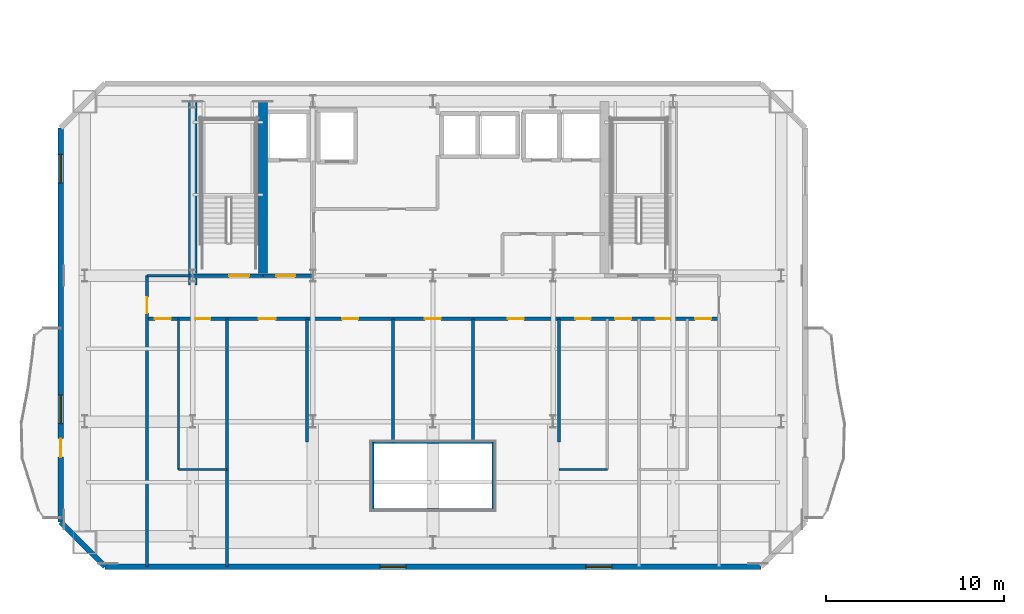
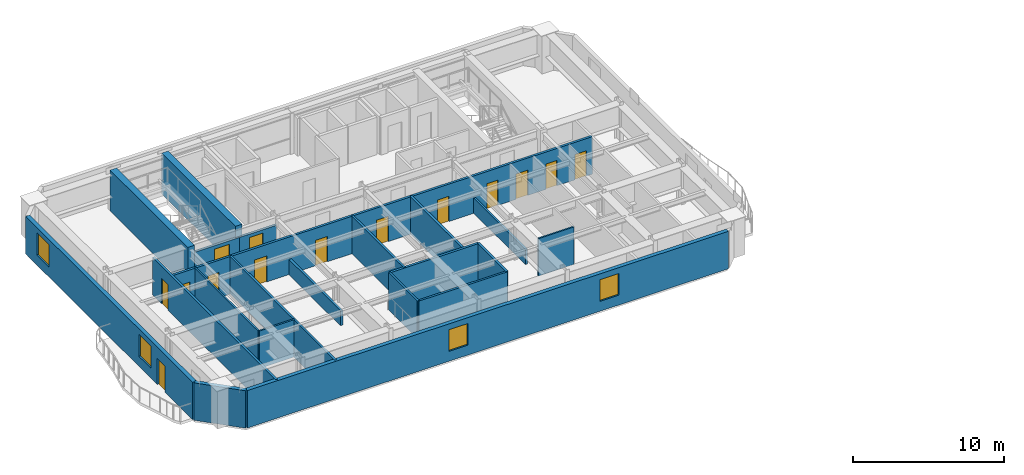
# One storey, part 7 of 16: 22 walls, 14 doors, 4 windows, 18 openings.
"""IFC4 building model written with IfcOpenShell, lengths in metres."""

from ifc_helpers import new_model, si_unit, direction, frame, frame_2d, origin, place, context, subcontext, project, spatial, rectangle, extrude, material, layer, layer_set, type_object, element, fill, save


model = new_model("IFC4")

# Units and contexts
model_context = context("Model", 3, precision=1e-05, world=origin(), true_north=direction((0.0, 1.0)))
body_context = subcontext(model_context, "Body", "Model", "MODEL_VIEW")
ifc_project = project(units=[si_unit("LENGTHUNIT", "METRE"), si_unit("AREAUNIT", "SQUARE_METRE"), si_unit("VOLUMEUNIT", "CUBIC_METRE"), si_unit("PLANEANGLEUNIT", "RADIAN"), si_unit("MASSUNIT", "GRAM", prefix="KILO")], contexts=[model_context])

# Site, building, storey
site_placement = place(None, origin())
site = spatial("IfcSite", under=ifc_project, at=site_placement, CompositionType="ELEMENT")
building_placement = place(site_placement, origin())
building = spatial("IfcBuilding", under=site, at=building_placement, Name="Haevon Station Towers", CompositionType="ELEMENT")
storey_placement = place(building_placement, frame((0.0, 0.0, 172.5)))
storey = spatial("IfcBuildingStorey", under=building, at=storey_placement, Name="L47", CompositionType="ELEMENT", Elevation=172.5)

# Wall, opening, door
ifc_material_1 = material(Name="Gypsum board on steel stud", Category="steel")
ifc_layer_1 = layer(ifc_material_1, 0.179931640625)
ifc_layer_set_1 = layer_set([ifc_layer_1], Name="Gypsum board on steel stud")
wall_type_1 = type_object("IfcWallType", Name="WL-ACU180", PredefinedType="PARTITIONING", material=ifc_layer_set_1)
wall_1_placement = place(storey_placement, frame((21.425048828125, 21.85009765625, 0.0), z_axis=(0.0, 0.0, 1.0), x_axis=(0.0, 1.0, 0.0)))
wall_1 = element("IfcWall", 1, at=wall_1_placement, inside=storey, type_object=wall_type_1, Name="WL-T1PT-L47-03", PredefinedType="PARTITIONING", context=body_context, shape_type="SweptSolid", body=[
    extrude(rectangle(XDim=16.349853515625, YDim=0.179931640625, at=frame_2d((8.1748046875, 0.0))), origin(), (0.0, 0.0, 1.0), 3.030029296875),
])
opening_1_placement = place(wall_1_placement, frame((14.25, 0.0, 0.0)))
opening_1 = element("IfcOpeningElement", 2, at=opening_1_placement, cuts=wall_1, Name="Opening DR-WL-T1PT-L47-03-01", PredefinedType="OPENING", context=body_context, shape_type="SweptSolid", body=[
    extrude(rectangle(XDim=0.89990234375, YDim=2.050048828125, at=frame_2d((0.449951171875, 1.02490234375))), frame((0.0, 0.099853515625, 0.0), z_axis=(0.0, -1.0, 0.0), x_axis=(1.0, 0.0, 0.0)), (0.0, 0.0, 1.0), 0.199951171875),
])
ifc_material_2 = material(Name="Engineered oak timber", Category="wood")
door_type_1 = type_object("IfcDoorType", Name="DR-INT-900", OperationType="NOTDEFINED", PredefinedType="DOOR", material=ifc_material_2)
door_1_placement = place(opening_1_placement, origin())
door_1 = element("IfcDoor", 3, at=door_1_placement, inside=storey, type_object=door_type_1, Name="L47 Tower 1 Room Door 3-1", OperationType="SINGLE_SWING_LEFT", OverallHeight=2.050048828125, OverallWidth=0.89990234375, PredefinedType="DOOR", context=body_context, shape_type="SweptSolid", body=[
    extrude(rectangle(XDim=0.89990234375, YDim=2.050048828125, at=frame_2d((0.449951171875, 1.02490234375))), frame((0.0, 0.02490234375, 0.0), z_axis=(0.0, -1.0, 0.0), x_axis=(1.0, 0.0, 0.0)), (0.0, 0.0, 1.0), 0.050048828125),
])
fill(opening_1, door_1)

# Walls
wall_2_placement = place(storey_placement, frame((34.10009765625, 28.85009765625, 0.0), z_axis=(0.0, 0.0, 1.0), x_axis=(1.0, 0.0, 0.0)))
element("IfcWall", 4, at=wall_2_placement, inside=storey, type_object=wall_type_1, Name="WL-T1PT-L47-06", PredefinedType="PARTITIONING", context=body_context, shape_type="SweptSolid", body=[
    extrude(rectangle(XDim=6.7998046875, YDim=0.179931640625, at=frame_2d((3.39990234375, 0.0))), origin(), (0.0, 0.0, 1.0), 3.030029296875),
])
wall_3_placement = place(storey_placement, frame((30.427001953125, 28.85009765625, 0.0), z_axis=(0.0, 0.0, 1.0), x_axis=(0.0, 1.0, 0.0)))
element("IfcWall", 5, at=wall_3_placement, inside=storey, type_object=wall_type_1, Name="WL-T1PT-L47-12", PredefinedType="PARTITIONING", context=body_context, shape_type="SweptSolid", body=[
    extrude(rectangle(XDim=6.929931640625, YDim=0.179931640625, at=frame_2d((3.46484375, 0.0))), origin(), (0.0, 0.0, 1.0), 1.22998046875),
])
wall_4_placement = place(storey_placement, frame((39.75048828125, 28.85009765625, 0.0), z_axis=(0.0, 0.0, 1.0), x_axis=(0.0, 1.0, 0.0)))
element("IfcWall", 6, at=wall_4_placement, inside=storey, type_object=wall_type_1, Name="WL-T1PT-L47-15", PredefinedType="PARTITIONING", context=body_context, shape_type="SweptSolid", body=[
    extrude(rectangle(XDim=6.929931640625, YDim=0.179931640625, at=frame_2d((3.46484375, 0.0))), origin(), (0.0, 0.0, 1.0), 3.030029296875),
])

# Wall, openings, doors
wall_5_placement = place(storey_placement, frame((21.425048828125, 35.780029296875, 0.0), z_axis=(0.0, 0.0, 1.0), x_axis=(1.0, 0.0, 0.0)))
wall_5 = element("IfcWall", 7, at=wall_5_placement, inside=storey, type_object=wall_type_1, Name="WL-T1PT-L47-24", PredefinedType="PARTITIONING", context=body_context, shape_type="SweptSolid", body=[
    extrude(rectangle(XDim=32.14990234375, YDim=0.179931640625, at=frame_2d((16.074951171875, 0.0))), origin(), (0.0, 0.0, 1.0), 3.030029296875),
])
opening_2_placement = place(wall_5_placement, frame((2.715087890625, 0.0, 0.0)))
opening_2 = element("IfcOpeningElement", 8, at=opening_2_placement, cuts=wall_5, Name="Opening DR-WL-T1PT-L47-24-01", PredefinedType="OPENING", context=body_context, shape_type="SweptSolid", body=[
    extrude(rectangle(XDim=0.85009765625, YDim=2.050048828125, at=frame_2d((0.425048828125, 1.02490234375))), frame((0.0, 0.099853515625, 0.0), z_axis=(0.0, -1.0, 0.0), x_axis=(1.0, 0.0, 0.0)), (0.0, 0.0, 1.0), 0.199951171875),
])
opening_3_placement = place(wall_5_placement, frame((0.43994140625, 0.0, 0.0)))
opening_3 = element("IfcOpeningElement", 9, at=opening_3_placement, cuts=wall_5, Name="Opening DR-WL-T1PT-L47-24-02", PredefinedType="OPENING", context=body_context, shape_type="SweptSolid", body=[
    extrude(rectangle(XDim=0.89990234375, YDim=2.050048828125, at=frame_2d((0.449951171875, 1.02490234375))), frame((0.0, 0.099853515625, 0.0), z_axis=(0.0, -1.0, 0.0), x_axis=(1.0, 0.0, 0.0)), (0.0, 0.0, 1.0), 0.199951171875),
])
opening_4_placement = place(wall_5_placement, frame((6.27587890625, 0.0, 0.0)))
opening_4 = element("IfcOpeningElement", 10, at=opening_4_placement, cuts=wall_5, Name="Opening DR-WL-T1PT-L47-24-03", PredefinedType="OPENING", context=body_context, shape_type="SweptSolid", body=[
    extrude(rectangle(XDim=0.949951171875, YDim=2.10009765625, at=frame_2d((0.47509765625, 1.050048828125))), frame((0.0, 0.099853515625, 0.0), z_axis=(0.0, -1.0, 0.0), x_axis=(1.0, 0.0, 0.0)), (0.0, 0.0, 1.0), 0.199951171875),
])
opening_5_placement = place(wall_5_placement, frame((10.962890625, 0.0, 0.0)))
opening_5 = element("IfcOpeningElement", 11, at=opening_5_placement, cuts=wall_5, Name="Opening DR-WL-T1PT-L47-24-04", PredefinedType="OPENING", context=body_context, shape_type="SweptSolid", body=[
    extrude(rectangle(XDim=0.89990234375, YDim=2.050048828125, at=frame_2d((0.449951171875, 1.02490234375))), frame((0.0, 0.099853515625, 0.0), z_axis=(0.0, -1.0, 0.0), x_axis=(1.0, 0.0, 0.0)), (0.0, 0.0, 1.0), 0.199951171875),
])
opening_6_placement = place(wall_5_placement, frame((15.625, 0.0, 0.0)))
opening_6 = element("IfcOpeningElement", 12, at=opening_6_placement, cuts=wall_5, Name="Opening DR-WL-T1PT-L47-24-05", PredefinedType="OPENING", context=body_context, shape_type="SweptSolid", body=[
    extrude(rectangle(XDim=0.89990234375, YDim=2.050048828125, at=frame_2d((0.449951171875, 1.02490234375))), frame((0.0, 0.099853515625, 0.0), z_axis=(0.0, -1.0, 0.0), x_axis=(1.0, 0.0, 0.0)), (0.0, 0.0, 1.0), 0.199951171875),
])
opening_7_placement = place(wall_5_placement, frame((20.287109375, 0.0, 0.0)))
opening_7 = element("IfcOpeningElement", 13, at=opening_7_placement, cuts=wall_5, Name="Opening DR-WL-T1PT-L47-24-06", PredefinedType="OPENING", context=body_context, shape_type="SweptSolid", body=[
    extrude(rectangle(XDim=0.89990234375, YDim=2.050048828125, at=frame_2d((0.449951171875, 1.02490234375))), frame((0.0, 0.099853515625, 0.0), z_axis=(0.0, -1.0, 0.0), x_axis=(1.0, 0.0, 0.0)), (0.0, 0.0, 1.0), 0.199951171875),
])
opening_8_placement = place(wall_5_placement, frame((24.0830078125, 0.0, 0.0)))
opening_8 = element("IfcOpeningElement", 14, at=opening_8_placement, cuts=wall_5, Name="Opening DR-WL-T1PT-L47-24-07", PredefinedType="OPENING", context=body_context, shape_type="SweptSolid", body=[
    extrude(rectangle(XDim=0.85009765625, YDim=2.050048828125, at=frame_2d((0.425048828125, 1.02490234375))), frame((0.0, 0.099853515625, 0.0), z_axis=(0.0, -1.0, 0.0), x_axis=(1.0, 0.0, 0.0)), (0.0, 0.0, 1.0), 0.199951171875),
])
opening_9_placement = place(wall_5_placement, frame((26.30908203125, 0.0, 0.0)))
opening_9 = element("IfcOpeningElement", 15, at=opening_9_placement, cuts=wall_5, Name="Opening DR-WL-T1PT-L47-24-08", PredefinedType="OPENING", context=body_context, shape_type="SweptSolid", body=[
    extrude(rectangle(XDim=0.89990234375, YDim=2.050048828125, at=frame_2d((0.449951171875, 1.02490234375))), frame((0.0, 0.099853515625, 0.0), z_axis=(0.0, -1.0, 0.0), x_axis=(1.0, 0.0, 0.0)), (0.0, 0.0, 1.0), 0.199951171875),
])
opening_10_placement = place(wall_5_placement, frame((28.583984375, 0.0, 0.0)))
opening_10 = element("IfcOpeningElement", 16, at=opening_10_placement, cuts=wall_5, Name="Opening DR-WL-T1PT-L47-24-09", PredefinedType="OPENING", context=body_context, shape_type="SweptSolid", body=[
    extrude(rectangle(XDim=0.85009765625, YDim=2.050048828125, at=frame_2d((0.425048828125, 1.02490234375))), frame((0.0, 0.099853515625, 0.0), z_axis=(0.0, -1.0, 0.0), x_axis=(1.0, 0.0, 0.0)), (0.0, 0.0, 1.0), 0.199951171875),
])
opening_11_placement = place(wall_5_placement, frame((30.81005859375, 0.0, 0.0)))
opening_11 = element("IfcOpeningElement", 17, at=opening_11_placement, cuts=wall_5, Name="Opening DR-WL-T1PT-L47-24-10", PredefinedType="OPENING", context=body_context, shape_type="SweptSolid", body=[
    extrude(rectangle(XDim=0.89990234375, YDim=2.050048828125, at=frame_2d((0.449951171875, 1.02490234375))), frame((0.0, 0.099853515625, 0.0), z_axis=(0.0, -1.0, 0.0), x_axis=(1.0, 0.0, 0.0)), (0.0, 0.0, 1.0), 0.199951171875),
])
door_type_2 = type_object("IfcDoorType", Name="DR-FD30-850", OperationType="NOTDEFINED", PredefinedType="DOOR", material=ifc_material_2)
door_2_placement = place(opening_2_placement, origin())
door_2 = element("IfcDoor", 18, at=door_2_placement, inside=storey, type_object=door_type_2, Name="L47 Tower 1 Room Door 24-1", OperationType="SINGLE_SWING_LEFT", OverallHeight=2.050048828125, OverallWidth=0.85009765625, PredefinedType="DOOR", context=body_context, shape_type="SweptSolid", body=[
    extrude(rectangle(XDim=0.85009765625, YDim=2.050048828125, at=frame_2d((0.425048828125, 1.02490234375))), frame((0.0, 0.02490234375, 0.0), z_axis=(0.0, -1.0, 0.0), x_axis=(1.0, 0.0, 0.0)), (0.0, 0.0, 1.0), 0.050048828125),
])
fill(opening_2, door_2)
door_3_placement = place(opening_8_placement, origin())
door_3 = element("IfcDoor", 19, at=door_3_placement, inside=storey, type_object=door_type_2, Name="L47 Tower 1 Room Door 24-7", OperationType="SINGLE_SWING_LEFT", OverallHeight=2.050048828125, OverallWidth=0.85009765625, PredefinedType="DOOR", context=body_context, shape_type="SweptSolid", body=[
    extrude(rectangle(XDim=0.85009765625, YDim=2.050048828125, at=frame_2d((0.425048828125, 1.02490234375))), frame((0.0, 0.02490234375, 0.0), z_axis=(0.0, -1.0, 0.0), x_axis=(1.0, 0.0, 0.0)), (0.0, 0.0, 1.0), 0.050048828125),
])
fill(opening_8, door_3)
door_4_placement = place(opening_10_placement, origin())
door_4 = element("IfcDoor", 20, at=door_4_placement, inside=storey, type_object=door_type_2, Name="L47 Tower 1 Room Door 24-9", OperationType="SINGLE_SWING_LEFT", OverallHeight=2.050048828125, OverallWidth=0.85009765625, PredefinedType="DOOR", context=body_context, shape_type="SweptSolid", body=[
    extrude(rectangle(XDim=0.85009765625, YDim=2.050048828125, at=frame_2d((0.425048828125, 1.02490234375))), frame((0.0, 0.02490234375, 0.0), z_axis=(0.0, -1.0, 0.0), x_axis=(1.0, 0.0, 0.0)), (0.0, 0.0, 1.0), 0.050048828125),
])
fill(opening_10, door_4)
door_type_3 = type_object("IfcDoorType", Name="DR-FD30-950", OperationType="NOTDEFINED", PredefinedType="DOOR", material=ifc_material_2)
door_5_placement = place(opening_4_placement, origin())
door_5 = element("IfcDoor", 21, at=door_5_placement, inside=storey, type_object=door_type_3, Name="L47 Tower 1 Room Door 24-3", OperationType="SINGLE_SWING_LEFT", OverallHeight=2.10009765625, OverallWidth=0.949951171875, PredefinedType="DOOR", context=body_context, shape_type="SweptSolid", body=[
    extrude(rectangle(XDim=0.949951171875, YDim=2.10009765625, at=frame_2d((0.47509765625, 1.050048828125))), frame((0.0, 0.02490234375, 0.0), z_axis=(0.0, -1.0, 0.0), x_axis=(1.0, 0.0, 0.0)), (0.0, 0.0, 1.0), 0.050048828125),
])
fill(opening_4, door_5)
door_6_placement = place(opening_3_placement, origin())
door_6 = element("IfcDoor", 22, at=door_6_placement, inside=storey, type_object=door_type_1, Name="L47 Tower 1 Room Door 24-2", OperationType="SINGLE_SWING_RIGHT", OverallHeight=2.050048828125, OverallWidth=0.89990234375, PredefinedType="DOOR", context=body_context, shape_type="SweptSolid", body=[
    extrude(rectangle(XDim=0.89990234375, YDim=2.050048828125, at=frame_2d((0.449951171875, 1.02490234375))), frame((0.0, 0.02490234375, 0.0), z_axis=(0.0, -1.0, 0.0), x_axis=(1.0, 0.0, 0.0)), (0.0, 0.0, 1.0), 0.050048828125),
])
fill(opening_3, door_6)
door_7_placement = place(opening_5_placement, origin())
door_7 = element("IfcDoor", 23, at=door_7_placement, inside=storey, type_object=door_type_1, Name="L47 Tower 1 Room Door 24-4", OperationType="SINGLE_SWING_RIGHT", OverallHeight=2.050048828125, OverallWidth=0.89990234375, PredefinedType="DOOR", context=body_context, shape_type="SweptSolid", body=[
    extrude(rectangle(XDim=0.89990234375, YDim=2.050048828125, at=frame_2d((0.449951171875, 1.02490234375))), frame((0.0, 0.02490234375, 0.0), z_axis=(0.0, -1.0, 0.0), x_axis=(1.0, 0.0, 0.0)), (0.0, 0.0, 1.0), 0.050048828125),
])
fill(opening_5, door_7)
door_8_placement = place(opening_6_placement, origin())
door_8 = element("IfcDoor", 24, at=door_8_placement, inside=storey, type_object=door_type_1, Name="L47 Tower 1 Room Door 24-5", OperationType="SINGLE_SWING_LEFT", OverallHeight=2.050048828125, OverallWidth=0.89990234375, PredefinedType="DOOR", context=body_context, shape_type="SweptSolid", body=[
    extrude(rectangle(XDim=0.89990234375, YDim=2.050048828125, at=frame_2d((0.449951171875, 1.02490234375))), frame((0.0, 0.02490234375, 0.0), z_axis=(0.0, -1.0, 0.0), x_axis=(1.0, 0.0, 0.0)), (0.0, 0.0, 1.0), 0.050048828125),
])
fill(opening_6, door_8)
door_9_placement = place(opening_7_placement, origin())
door_9 = element("IfcDoor", 25, at=door_9_placement, inside=storey, type_object=door_type_1, Name="L47 Tower 1 Room Door 24-6", OperationType="SINGLE_SWING_RIGHT", OverallHeight=2.050048828125, OverallWidth=0.89990234375, PredefinedType="DOOR", context=body_context, shape_type="SweptSolid", body=[
    extrude(rectangle(XDim=0.89990234375, YDim=2.050048828125, at=frame_2d((0.449951171875, 1.02490234375))), frame((0.0, 0.02490234375, 0.0), z_axis=(0.0, -1.0, 0.0), x_axis=(1.0, 0.0, 0.0)), (0.0, 0.0, 1.0), 0.050048828125),
])
fill(opening_7, door_9)
door_10_placement = place(opening_9_placement, origin())
door_10 = element("IfcDoor", 26, at=door_10_placement, inside=storey, type_object=door_type_1, Name="L47 Tower 1 Room Door 24-8", OperationType="SINGLE_SWING_RIGHT", OverallHeight=2.050048828125, OverallWidth=0.89990234375, PredefinedType="DOOR", context=body_context, shape_type="SweptSolid", body=[
    extrude(rectangle(XDim=0.89990234375, YDim=2.050048828125, at=frame_2d((0.449951171875, 1.02490234375))), frame((0.0, 0.02490234375, 0.0), z_axis=(0.0, -1.0, 0.0), x_axis=(1.0, 0.0, 0.0)), (0.0, 0.0, 1.0), 0.050048828125),
])
fill(opening_9, door_10)
door_11_placement = place(opening_11_placement, origin())
door_11 = element("IfcDoor", 27, at=door_11_placement, inside=storey, type_object=door_type_1, Name="L47 Tower 1 Room Door 24-10", OperationType="SINGLE_SWING_RIGHT", OverallHeight=2.050048828125, OverallWidth=0.89990234375, PredefinedType="DOOR", context=body_context, shape_type="SweptSolid", body=[
    extrude(rectangle(XDim=0.89990234375, YDim=2.050048828125, at=frame_2d((0.449951171875, 1.02490234375))), frame((0.0, 0.02490234375, 0.0), z_axis=(0.0, -1.0, 0.0), x_axis=(1.0, 0.0, 0.0)), (0.0, 0.0, 1.0), 0.050048828125),
])
fill(opening_11, door_11)

# Wall, opening, door
ifc_layer_2 = layer(ifc_material_1, 0.199951171875)
ifc_layer_set_2 = layer_set([ifc_layer_2], Name="Gypsum board on steel stud")
wall_type_2 = type_object("IfcWallType", Name="WL-COR200", PredefinedType="PARTITIONING", material=ifc_layer_set_2)
wall_6_placement = place(storey_placement, frame((24.0, 38.199951171875, 0.0), z_axis=(0.0, 0.0, 1.0), x_axis=(1.0, 0.0, 0.0)))
wall_6 = element("IfcWall", 28, at=wall_6_placement, inside=storey, type_object=wall_type_2, Name="WL-ST-ST1-L47", PredefinedType="PARTITIONING", context=body_context, shape_type="SweptSolid", body=[
    extrude(rectangle(XDim=3.949951171875, YDim=0.199951171875, at=frame_2d((1.97509765625, 0.0))), origin(), (0.0, 0.0, 1.0), 2.3798828125),
])
opening_12_placement = place(wall_6_placement, frame((2.050048828125, 0.0, 0.0)))
opening_12 = element("IfcOpeningElement", 29, at=opening_12_placement, cuts=wall_6, Name="Opening DR-ST-ST1-L47", PredefinedType="OPENING", context=body_context, shape_type="SweptSolid", body=[
    extrude(rectangle(XDim=1.1201171875, YDim=2.10009765625, at=frame_2d((0.56005859375, 1.050048828125))), frame((0.0, 0.10986328125, 0.0), z_axis=(0.0, -1.0, 0.0), x_axis=(1.0, 0.0, 0.0)), (0.0, 0.0, 1.0), 0.219970703125),
])
door_type_4 = type_object("IfcDoorType", Name="DR-ST-1120", OperationType="NOTDEFINED", PredefinedType="DOOR", material=ifc_material_2)
door_12_placement = place(opening_12_placement, origin())
door_12 = element("IfcDoor", 30, at=door_12_placement, inside=storey, type_object=door_type_4, Name="L47 Escape Stair ST1 Fire Door", OperationType="SINGLE_SWING_RIGHT", OverallHeight=2.10009765625, OverallWidth=1.1201171875, PredefinedType="DOOR", context=body_context, shape_type="SweptSolid", body=[
    extrude(rectangle(XDim=1.1201171875, YDim=2.10009765625, at=frame_2d((0.56005859375, 1.050048828125))), frame((0.0, 0.02490234375, 0.0), z_axis=(0.0, -1.0, 0.0), x_axis=(1.0, 0.0, 0.0)), (0.0, 0.0, 1.0), 0.050048828125),
])
fill(opening_12, door_12)

wall_7_placement = place(storey_placement, frame((27.949951171875, 38.199951171875, 0.0), z_axis=(0.0, 0.0, 1.0), x_axis=(1.0, 0.0, 0.0)))
wall_7 = element("IfcWall", 31, at=wall_7_placement, inside=storey, type_object=wall_type_2, Name="WL-T1FFL-L47-S", PredefinedType="PARTITIONING", context=body_context, shape_type="SweptSolid", body=[
    extrude(rectangle(XDim=2.85009765625, YDim=0.199951171875, at=frame_2d((1.425048828125, 0.0))), origin(), (0.0, 0.0, 1.0), 2.3798828125),
])
opening_13_placement = place(wall_7_placement, frame((0.75, 0.0, 0.0)))
opening_13 = element("IfcOpeningElement", 32, at=opening_13_placement, cuts=wall_7, Name="Opening DR-T1FFL-L47-S", PredefinedType="OPENING", context=body_context, shape_type="SweptSolid", body=[
    extrude(rectangle(XDim=1.050048828125, YDim=2.10009765625, at=frame_2d((0.52490234375, 1.050048828125))), frame((0.0, 0.10986328125, 0.0), z_axis=(0.0, -1.0, 0.0), x_axis=(1.0, 0.0, 0.0)), (0.0, 0.0, 1.0), 0.219970703125),
])
door_type_5 = type_object("IfcDoorType", Name="DR-FD60-1050", OperationType="NOTDEFINED", PredefinedType="DOOR", material=ifc_material_2)
door_13_placement = place(opening_13_placement, origin())
door_13 = element("IfcDoor", 33, at=door_13_placement, inside=storey, type_object=door_type_5, Name="L47 Tower 1 Firefighting Lift Lobby Door S", OperationType="SINGLE_SWING_LEFT", OverallHeight=2.10009765625, OverallWidth=1.050048828125, PredefinedType="DOOR", context=body_context, shape_type="SweptSolid", body=[
    extrude(rectangle(XDim=1.050048828125, YDim=2.10009765625, at=frame_2d((0.52490234375, 1.050048828125))), frame((0.0, 0.02490234375, 0.0), z_axis=(0.0, -1.0, 0.0), x_axis=(1.0, 0.0, 0.0)), (0.0, 0.0, 1.0), 0.050048828125),
])
fill(opening_13, door_13)

# Walls
ifc_material_3 = material(Name="Concrete C60/75", Category="concrete")
ifc_layer_3 = layer(ifc_material_3, 0.5)
ifc_layer_set_3 = layer_set([ifc_layer_3], Name="Concrete C60/75")
wall_type_3 = type_object("IfcWallType", Name="WL-CR500", PredefinedType="SHEAR", material=ifc_layer_set_3)
wall_8_placement = place(storey_placement, frame((24.0, 37.679931640625, 0.0), z_axis=(0.0, 0.0, 1.0), x_axis=(0.0, 1.0, 0.0)))
element("IfcWall", 34, at=wall_8_placement, inside=storey, type_object=wall_type_3, Name="WL-T1CR-L47-W", PredefinedType="SHEAR", context=body_context, shape_type="SweptSolid", body=[
    extrude(rectangle(XDim=10.320068359375, YDim=0.5, at=frame_2d((5.16015625, 0.0))), origin(), (0.0, 0.0, 1.0), 3.300048828125),
])
wall_9_placement = place(storey_placement, frame((27.949951171875, 38.199951171875, 0.0), z_axis=(0.0, 0.0, 1.0), x_axis=(0.0, 1.0, 0.0)))
element("IfcWall", 35, at=wall_9_placement, inside=storey, type_object=wall_type_3, Name="WL-T1CR-L47-M1", PredefinedType="SHEAR", context=body_context, shape_type="SweptSolid", body=[
    extrude(rectangle(XDim=9.800048828125, YDim=0.5, at=frame_2d((4.89990234375, 0.0))), origin(), (0.0, 0.0, 1.0), 3.300048828125),
])

# Wall, openings, windows
ifc_material_4 = material(Name="Precast concrete C45/55", Category="concrete")
ifc_layer_4 = layer(ifc_material_4, 0.300048828125)
ifc_layer_set_4 = layer_set([ifc_layer_4], Name="Precast concrete C45/55")
wall_type_4 = type_object("IfcWallType", Name="WL-EXT-PIER300", PredefinedType="SOLIDWALL", material=ifc_layer_set_4)
wall_10_placement = place(storey_placement, frame((55.925048828125, 21.85009765625, 0.0), z_axis=(0.0, 0.0, 1.0), x_axis=(-1.0, 0.0, 0.0)))
wall_10 = element("IfcWall", 36, at=wall_10_placement, inside=storey, type_object=wall_type_4, Name="WL-T1-L47-S", PredefinedType="SOLIDWALL", context=body_context, shape_type="SweptSolid", body=[
    extrude(rectangle(XDim=36.85009765625, YDim=0.300048828125, at=frame_2d((18.425048828125, 0.0))), origin(), (0.0, 0.0, 1.0), 3.030029296875),
])
opening_14_placement = place(wall_10_placement, frame((19.950439453125, 0.0, 0.800048828125)))
opening_14 = element("IfcOpeningElement", 37, at=opening_14_placement, cuts=wall_10, Name="Opening WN-P145", PredefinedType="OPENING", context=body_context, shape_type="SweptSolid", body=[
    extrude(rectangle(XDim=1.449951171875, YDim=1.75, at=frame_2d((0.72509765625, 0.875))), frame((0.0, 0.159912109375, 0.0), z_axis=(0.0, -1.0, 0.0), x_axis=(1.0, 0.0, 0.0)), (0.0, 0.0, 1.0), 0.320068359375),
])
opening_15_placement = place(wall_10_placement, frame((8.37646484375, 0.0, 0.800048828125)))
opening_15 = element("IfcOpeningElement", 38, at=opening_15_placement, cuts=wall_10, Name="Opening WN-P145", PredefinedType="OPENING", context=body_context, shape_type="SweptSolid", body=[
    extrude(rectangle(XDim=1.449951171875, YDim=1.75, at=frame_2d((0.72509765625, 0.875))), frame((0.0, 0.159912109375, 0.0), z_axis=(0.0, -1.0, 0.0), x_axis=(1.0, 0.0, 0.0)), (0.0, 0.0, 1.0), 0.320068359375),
])
ifc_material_5 = material(Name="Low-E triple glazing in thermally broken aluminium", Category="aluminium")
window_type_1 = type_object("IfcWindowType", Name="WN-P145", PartitioningType="SINGLE_PANEL", PredefinedType="WINDOW", material=ifc_material_5)
window_1_placement = place(opening_14_placement, origin())
window_1 = element("IfcWindow", 39, at=window_1_placement, inside=storey, type_object=window_type_1, Name="WN-T1-L47-S01", OverallHeight=1.75, OverallWidth=1.449951171875, PartitioningType="SINGLE_PANEL", PredefinedType="WINDOW", context=body_context, shape_type="SweptSolid", body=[
    extrude(rectangle(XDim=1.449951171875, YDim=1.75, at=frame_2d((0.72509765625, 0.875))), frame((0.0, 0.030029296875, 0.0), z_axis=(0.0, -1.0, 0.0), x_axis=(1.0, 0.0, 0.0)), (0.0, 0.0, 1.0), 0.06005859375),
])
fill(opening_14, window_1)
window_2_placement = place(opening_15_placement, origin())
window_2 = element("IfcWindow", 40, at=window_2_placement, inside=storey, type_object=window_type_1, Name="WN-T1-L47-S02", OverallHeight=1.75, OverallWidth=1.449951171875, PartitioningType="SINGLE_PANEL", PredefinedType="WINDOW", context=body_context, shape_type="SweptSolid", body=[
    extrude(rectangle(XDim=1.449951171875, YDim=1.75, at=frame_2d((0.72509765625, 0.875))), frame((0.0, 0.030029296875, 0.0), z_axis=(0.0, -1.0, 0.0), x_axis=(1.0, 0.0, 0.0)), (0.0, 0.0, 1.0), 0.06005859375),
])
fill(opening_15, window_2)

# Wall
wall_11_placement = place(storey_placement, frame((19.074951171875, 21.85009765625, 0.0), z_axis=(0.0, 0.0, 1.0), x_axis=(-0.707106781187, 0.707106781187, 0.0)))
element("IfcWall", 41, at=wall_11_placement, inside=storey, type_object=wall_type_4, Name="WL-T1-L47-SWC", PredefinedType="SOLIDWALL", context=body_context, shape_type="SweptSolid", body=[
    extrude(rectangle(XDim=3.53564453125, YDim=0.300048828125, at=frame_2d((1.767822265625, 0.0))), origin(), (0.0, 0.0, 1.0), 3.030029296875),
])

# Wall, openings, door, windows
wall_12_placement = place(storey_placement, frame((16.574951171875, 24.35009765625, 0.0), z_axis=(0.0, 0.0, 1.0), x_axis=(0.0, 1.0, 0.0)))
wall_12 = element("IfcWall", 42, at=wall_12_placement, inside=storey, type_object=wall_type_4, Name="WL-T1-L47-W", PredefinedType="SOLIDWALL", context=body_context, shape_type="SweptSolid", body=[
    extrude(rectangle(XDim=22.14990234375, YDim=0.300048828125, at=frame_2d((11.074951171875, 0.0))), origin(), (0.0, 0.0, 1.0), 3.030029296875),
])
opening_16_placement = place(wall_12_placement, frame((3.64990234375, 0.0, 0.0)))
opening_16 = element("IfcOpeningElement", 43, at=opening_16_placement, cuts=wall_12, Name="Opening DR-T1-SCAL-L47-W", PredefinedType="OPENING", context=body_context, shape_type="SweptSolid", body=[
    extrude(rectangle(XDim=1.050048828125, YDim=2.10009765625, at=frame_2d((0.52490234375, 1.050048828125))), frame((0.0, 0.159912109375, 0.0), z_axis=(0.0, -1.0, 0.0), x_axis=(1.0, 0.0, 0.0)), (0.0, 0.0, 1.0), 0.320068359375),
])
opening_17_placement = place(wall_12_placement, frame((5.53759765625, 0.0, 0.800048828125)))
opening_17 = element("IfcOpeningElement", 44, at=opening_17_placement, cuts=wall_12, Name="Opening WN-END160", PredefinedType="OPENING", context=body_context, shape_type="SweptSolid", body=[
    extrude(rectangle(XDim=1.60009765625, YDim=1.800048828125, at=frame_2d((0.800048828125, 0.89990234375))), frame((0.0, 0.159912109375, 0.0), z_axis=(0.0, -1.0, 0.0), x_axis=(1.0, 0.0, 0.0)), (0.0, 0.0, 1.0), 0.320068359375),
])
opening_18_placement = place(wall_12_placement, frame((19.0732421875, 0.0, 0.800048828125)))
opening_18 = element("IfcOpeningElement", 45, at=opening_18_placement, cuts=wall_12, Name="Opening WN-END160", PredefinedType="OPENING", context=body_context, shape_type="SweptSolid", body=[
    extrude(rectangle(XDim=1.60009765625, YDim=1.800048828125, at=frame_2d((0.800048828125, 0.89990234375))), frame((0.0, 0.159912109375, 0.0), z_axis=(0.0, -1.0, 0.0), x_axis=(1.0, 0.0, 0.0)), (0.0, 0.0, 1.0), 0.320068359375),
])
ifc_material_6 = material(Name="Thermally broken anodised aluminium and laminated safety glass", Category="aluminium")
door_type_6 = type_object("IfcDoorType", Name="DR-BALC-1050", OperationType="NOTDEFINED", PredefinedType="DOOR", material=ifc_material_6)
door_14_placement = place(opening_16_placement, origin())
door_14 = element("IfcDoor", 46, at=door_14_placement, inside=storey, type_object=door_type_6, Name="Tower 1 L47 West Scalloped Balcony Door", OperationType="SINGLE_SWING_RIGHT", OverallHeight=2.10009765625, OverallWidth=1.050048828125, PredefinedType="DOOR", context=body_context, shape_type="SweptSolid", body=[
    extrude(rectangle(XDim=1.050048828125, YDim=2.10009765625, at=frame_2d((0.52490234375, 1.050048828125))), frame((0.0, 0.02490234375, 0.0), z_axis=(0.0, -1.0, 0.0), x_axis=(1.0, 0.0, 0.0)), (0.0, 0.0, 1.0), 0.050048828125),
])
fill(opening_16, door_14)
window_type_2 = type_object("IfcWindowType", Name="WN-END160", PartitioningType="SINGLE_PANEL", PredefinedType="WINDOW", material=ifc_material_5)
window_3_placement = place(opening_17_placement, origin())
window_3 = element("IfcWindow", 47, at=window_3_placement, inside=storey, type_object=window_type_2, Name="WN-T1-L47-W01", OverallHeight=1.800048828125, OverallWidth=1.60009765625, PartitioningType="SINGLE_PANEL", PredefinedType="WINDOW", context=body_context, shape_type="SweptSolid", body=[
    extrude(rectangle(XDim=1.60009765625, YDim=1.800048828125, at=frame_2d((0.800048828125, 0.89990234375))), frame((0.0, 0.030029296875, 0.0), z_axis=(0.0, -1.0, 0.0), x_axis=(1.0, 0.0, 0.0)), (0.0, 0.0, 1.0), 0.06005859375),
])
fill(opening_17, window_3)
window_4_placement = place(opening_18_placement, origin())
window_4 = element("IfcWindow", 48, at=window_4_placement, inside=storey, type_object=window_type_2, Name="WN-T1-L47-W02", OverallHeight=1.800048828125, OverallWidth=1.60009765625, PartitioningType="SINGLE_PANEL", PredefinedType="WINDOW", context=body_context, shape_type="SweptSolid", body=[
    extrude(rectangle(XDim=1.60009765625, YDim=1.800048828125, at=frame_2d((0.800048828125, 0.89990234375))), frame((0.0, 0.030029296875, 0.0), z_axis=(0.0, -1.0, 0.0), x_axis=(1.0, 0.0, 0.0)), (0.0, 0.0, 1.0), 0.06005859375),
])
fill(opening_18, window_4)

# Walls
ifc_layer_5 = layer(ifc_material_1, 0.125)
ifc_layer_set_5 = layer_set([ifc_layer_5], Name="Gypsum board on steel stud")
wall_type_5 = type_object("IfcWallType", Name="WL-PRT125", PredefinedType="PARTITIONING", material=ifc_layer_set_5)
wall_13_placement = place(storey_placement, frame((23.205078125, 27.317138671875, 0.0), z_axis=(0.0, 0.0, 1.0), x_axis=(1.0, 0.0, 0.0)))
element("IfcWall", 49, at=wall_13_placement, inside=storey, type_object=wall_type_5, Name="WL-T1PT-L47-09", PredefinedType="PARTITIONING", context=body_context, shape_type="SweptSolid", body=[
    extrude(rectangle(XDim=2.720947265625, YDim=0.125, at=frame_2d((1.3603515625, 0.0))), origin(), (0.0, 0.0, 1.0), 3.030029296875),
])
wall_14_placement = place(storey_placement, frame((23.205078125, 27.317138671875, 0.0), z_axis=(0.0, 0.0, 1.0), x_axis=(0.0, 1.0, 0.0)))
element("IfcWall", 50, at=wall_14_placement, inside=storey, type_object=wall_type_5, Name="WL-T1PT-L47-10", PredefinedType="PARTITIONING", context=body_context, shape_type="SweptSolid", body=[
    extrude(rectangle(XDim=8.462890625, YDim=0.125, at=frame_2d((4.2314453125, 0.0))), origin(), (0.0, 0.0, 1.0), 3.030029296875),
])
wall_15_placement = place(storey_placement, frame((44.572998046875, 27.317138671875, 0.0), z_axis=(0.0, 0.0, 1.0), x_axis=(1.0, 0.0, 0.0)))
element("IfcWall", 51, at=wall_15_placement, inside=storey, type_object=wall_type_5, Name="WL-T1PT-L47-19", PredefinedType="PARTITIONING", context=body_context, shape_type="SweptSolid", body=[
    extrude(rectangle(XDim=2.720947265625, YDim=0.125, at=frame_2d((1.3603515625, 0.0))), origin(), (0.0, 0.0, 1.0), 3.030029296875),
])
ifc_layer_6 = layer(ifc_material_1, 0.159912109375)
ifc_layer_set_6 = layer_set([ifc_layer_6], Name="Gypsum board on steel stud")
wall_type_6 = type_object("IfcWallType", Name="WL-PRT160", PredefinedType="PARTITIONING", material=ifc_layer_set_6)
wall_16_placement = place(storey_placement, frame((21.425048828125, 38.199951171875, 0.0), z_axis=(0.0, 0.0, 1.0), x_axis=(1.0, 0.0, 0.0)))
element("IfcWall", 52, at=wall_16_placement, inside=storey, type_object=wall_type_6, Name="WL-T1PT-L47-01", PredefinedType="PARTITIONING", context=body_context, shape_type="SweptSolid", body=[
    extrude(rectangle(XDim=2.574951171875, YDim=0.159912109375, at=frame_2d((1.28759765625, 0.0))), origin(), (0.0, 0.0, 1.0), 1.22998046875),
])
wall_17_placement = place(storey_placement, frame((34.10009765625, 25.050048828125, 0.0), z_axis=(0.0, 0.0, 1.0), x_axis=(1.0, 0.0, 0.0)))
element("IfcWall", 53, at=wall_17_placement, inside=storey, type_object=wall_type_6, Name="WL-T1PT-L47-05", PredefinedType="PARTITIONING", context=body_context, shape_type="SweptSolid", body=[
    extrude(rectangle(XDim=6.7998046875, YDim=0.159912109375, at=frame_2d((3.39990234375, 0.0))), origin(), (0.0, 0.0, 1.0), 3.030029296875),
])
for number, where, z_axis, x_axis, name in (
    (54, (34.10009765625, 25.050048828125, 0.0), (0.0, 0.0, 1.0), (0.0, 1.0, 0.0), "WL-T1PT-L47-07"),
    (55, (40.89990234375, 25.050048828125, 0.0), (0.0, 0.0, 1.0), (0.0, 1.0, 0.0), "WL-T1PT-L47-08"),
):
    element("IfcWall", number, at=place(storey_placement, frame(where, z_axis=z_axis, x_axis=x_axis)), inside=storey, type_object=wall_type_6, Name=name, PredefinedType="PARTITIONING", context=body_context, shape_type="SweptSolid", body=[
        extrude(rectangle(XDim=3.800048828125, YDim=0.159912109375, at=frame_2d((1.89990234375, 0.0))), origin(), (0.0, 0.0, 1.0), 3.030029296875),
    ])
wall_18_placement = place(storey_placement, frame((25.926025390625, 21.85009765625, 0.0), z_axis=(0.0, 0.0, 1.0), x_axis=(0.0, 1.0, 0.0)))
element("IfcWall", 56, at=wall_18_placement, inside=storey, type_object=wall_type_6, Name="WL-T1PT-L47-11", PredefinedType="PARTITIONING", context=body_context, shape_type="SweptSolid", body=[
    extrude(rectangle(XDim=13.929931640625, YDim=0.159912109375, at=frame_2d((6.96484375, 0.0))), origin(), (0.0, 0.0, 1.0), 3.030029296875),
])
wall_19_placement = place(storey_placement, frame((35.24951171875, 28.85009765625, 0.0), z_axis=(0.0, 0.0, 1.0), x_axis=(0.0, 1.0, 0.0)))
element("IfcWall", 57, at=wall_19_placement, inside=storey, type_object=wall_type_6, Name="WL-T1PT-L47-13", PredefinedType="PARTITIONING", context=body_context, shape_type="SweptSolid", body=[
    extrude(rectangle(XDim=6.929931640625, YDim=0.159912109375, at=frame_2d((3.46484375, 0.0))), origin(), (0.0, 0.0, 1.0), 3.030029296875),
])
wall_20_placement = place(storey_placement, frame((44.572998046875, 28.85009765625, 0.0), z_axis=(0.0, 0.0, 1.0), x_axis=(0.0, 1.0, 0.0)))
element("IfcWall", 58, at=wall_20_placement, inside=storey, type_object=wall_type_6, Name="WL-T1PT-L47-17", PredefinedType="PARTITIONING", context=body_context, shape_type="SweptSolid", body=[
    extrude(rectangle(XDim=6.929931640625, YDim=0.159912109375, at=frame_2d((3.46484375, 0.0))), origin(), (0.0, 0.0, 1.0), 1.22998046875),
])

save(model, "model.ifc")
